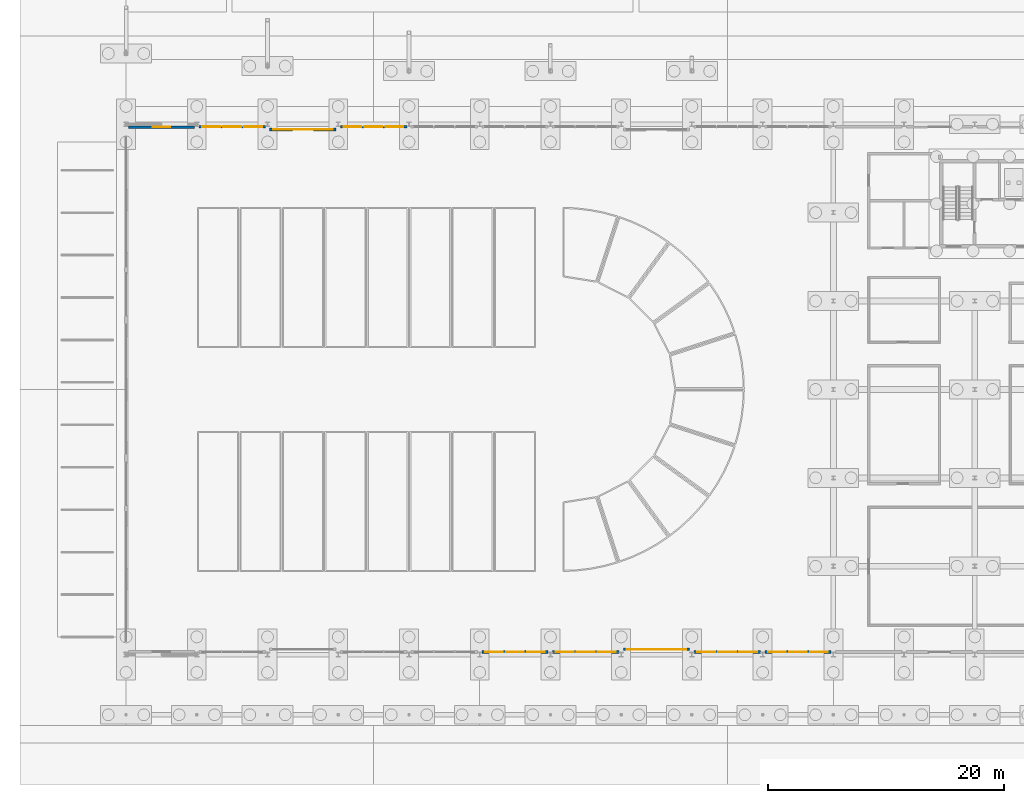
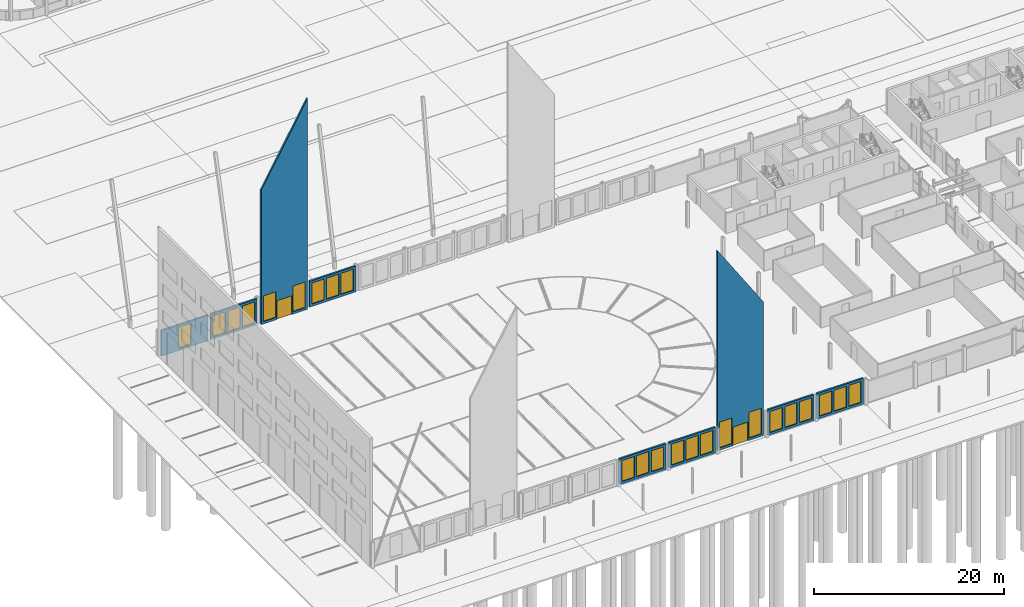
# One storey, part 78 of 130: 23 windows, 9 walls, 2 doors, 25 openings.
"""IFC4 building model written with IfcOpenShell, lengths in metres."""

from ifc_helpers import new_model, si_unit, direction, frame, frame_2d, origin, place, context, subcontext, project, spatial, polyline, rectangle, outline, extrude, material, layer, layer_set, type_object, element, fill, save


model = new_model("IFC4")

# Units and contexts
model_context = context("Model", 3, precision=1e-05, world=origin(), true_north=direction((0.0, 1.0)))
body_context = subcontext(model_context, "Body", "Model", "MODEL_VIEW")
ifc_project = project(units=[si_unit("LENGTHUNIT", "METRE"), si_unit("AREAUNIT", "SQUARE_METRE"), si_unit("VOLUMEUNIT", "CUBIC_METRE"), si_unit("PLANEANGLEUNIT", "RADIAN"), si_unit("MASSUNIT", "GRAM", prefix="KILO")], contexts=[model_context])

# Site, building, storey
site_placement = place(None, origin())
site = spatial("IfcSite", under=ifc_project, at=site_placement, CompositionType="ELEMENT")
building_placement = place(site_placement, origin())
building = spatial("IfcBuilding", under=site, at=building_placement, Name="Parallax Yard Mobility Hub", CompositionType="ELEMENT")
storey_placement = place(building_placement, origin())
storey = spatial("IfcBuildingStorey", under=building, at=storey_placement, Name="L00", CompositionType="ELEMENT", Elevation=0.0)

# Wall, openings, windows
ifc_material_1 = material(Name="Concrete fc' 35 MPa", Category="concrete")
ifc_layer = layer(ifc_material_1, 0.219970703125)
ifc_layer_set = layer_set([ifc_layer], Name="Gable panel, Concrete fc' 35 MPa precast, 220")
wall_type = type_object("IfcWallType", Name="Gable panel, Concrete fc' 35 MPa precast, 220", PredefinedType="SOLIDWALL", material=ifc_layer_set)
wall_1_placement = place(storey_placement, frame((39.1865234375, 7.72412109375, 0.0), z_axis=(0.0, 0.0, 1.0), x_axis=(1.0, 0.0, 0.0)))
wall_1 = element("IfcWall", 1, at=wall_1_placement, inside=storey, type_object=wall_type, Name="Bus and taxi deck south gable wall bay 6 level L00", PredefinedType="SOLIDWALL", context=body_context, shape_type="SweptSolid", body=[
    extrude(rectangle(XDim=5.626953125, YDim=0.219970703125, at=frame_2d((2.8134765625, 0.0))), origin(), (0.0, 0.0, 1.0), 3.300048828125),
])
opening_1_placement = place(wall_1_placement, frame((0.28173828125, 0.0, 0.300048828125)))
opening_1 = element("IfcOpeningElement", 2, at=opening_1_placement, cuts=wall_1, Name="Opening LV8", PredefinedType="OPENING", context=body_context, shape_type="SweptSolid", body=[
    extrude(rectangle(XDim=1.5, YDim=2.699951171875, at=frame_2d((0.75, 1.35009765625))), frame((0.0, 0.1201171875, 0.0), z_axis=(0.0, -1.0, 0.0), x_axis=(1.0, 0.0, 0.0)), (0.0, 0.0, 1.0), 0.239990234375),
])
opening_2_placement = place(wall_1_placement, frame((2.0634765625, 0.0, 0.300048828125)))
opening_2 = element("IfcOpeningElement", 3, at=opening_2_placement, cuts=wall_1, Name="Opening LV8", PredefinedType="OPENING", context=body_context, shape_type="SweptSolid", body=[
    extrude(rectangle(XDim=1.5, YDim=2.699951171875, at=frame_2d((0.75, 1.35009765625))), frame((0.0, 0.1201171875, 0.0), z_axis=(0.0, -1.0, 0.0), x_axis=(1.0, 0.0, 0.0)), (0.0, 0.0, 1.0), 0.239990234375),
])
opening_3_placement = place(wall_1_placement, frame((3.84521484375, 0.0, 0.300048828125)))
opening_3 = element("IfcOpeningElement", 4, at=opening_3_placement, cuts=wall_1, Name="Opening LV8", PredefinedType="OPENING", context=body_context, shape_type="SweptSolid", body=[
    extrude(rectangle(XDim=1.5, YDim=2.699951171875, at=frame_2d((0.75, 1.35009765625))), frame((0.0, 0.1201171875, 0.0), z_axis=(0.0, -1.0, 0.0), x_axis=(1.0, 0.0, 0.0)), (0.0, 0.0, 1.0), 0.239990234375),
])
ifc_material_2 = material(Name="Extruded aluminium storm louvre blades in a powder-coated frame", Category="aluminium")
window_type_1 = type_object("IfcWindowType", Name="Storm louvre 1500 x 2700", PartitioningType="SINGLE_PANEL", PredefinedType="WINDOW", material=ifc_material_2)
window_1_placement = place(opening_1_placement, origin())
window_1 = element("IfcWindow", 5, at=window_1_placement, inside=storey, type_object=window_type_1, Name="LV8 louvre level L00", OverallHeight=2.699951171875, OverallWidth=1.5, PartitioningType="SINGLE_PANEL", PredefinedType="WINDOW", context=body_context, shape_type="SweptSolid", body=[
    extrude(rectangle(XDim=1.5, YDim=2.699951171875, at=frame_2d((0.75, 1.35009765625))), frame((0.0, 0.030029296875, 0.0), z_axis=(0.0, -1.0, 0.0), x_axis=(1.0, 0.0, 0.0)), (0.0, 0.0, 1.0), 0.06005859375),
])
fill(opening_1, window_1)
window_2_placement = place(opening_2_placement, origin())
window_2 = element("IfcWindow", 6, at=window_2_placement, inside=storey, type_object=window_type_1, Name="LV8 louvre level L00", OverallHeight=2.699951171875, OverallWidth=1.5, PartitioningType="SINGLE_PANEL", PredefinedType="WINDOW", context=body_context, shape_type="SweptSolid", body=[
    extrude(rectangle(XDim=1.5, YDim=2.699951171875, at=frame_2d((0.75, 1.35009765625))), frame((0.0, 0.030029296875, 0.0), z_axis=(0.0, -1.0, 0.0), x_axis=(1.0, 0.0, 0.0)), (0.0, 0.0, 1.0), 0.06005859375),
])
fill(opening_2, window_2)
window_3_placement = place(opening_3_placement, origin())
window_3 = element("IfcWindow", 7, at=window_3_placement, inside=storey, type_object=window_type_1, Name="LV8 louvre level L00", OverallHeight=2.699951171875, OverallWidth=1.5, PartitioningType="SINGLE_PANEL", PredefinedType="WINDOW", context=body_context, shape_type="SweptSolid", body=[
    extrude(rectangle(XDim=1.5, YDim=2.699951171875, at=frame_2d((0.75, 1.35009765625))), frame((0.0, 0.030029296875, 0.0), z_axis=(0.0, -1.0, 0.0), x_axis=(1.0, 0.0, 0.0)), (0.0, 0.0, 1.0), 0.06005859375),
])
fill(opening_3, window_3)

wall_2_placement = place(storey_placement, frame((45.1865234375, 7.72412109375, 0.0), z_axis=(0.0, 0.0, 1.0), x_axis=(1.0, 0.0, 0.0)))
wall_2 = element("IfcWall", 8, at=wall_2_placement, inside=storey, type_object=wall_type, Name="Bus and taxi deck south gable wall bay 7 level L00", PredefinedType="SOLIDWALL", context=body_context, shape_type="SweptSolid", body=[
    extrude(rectangle(XDim=5.626953125, YDim=0.219970703125, at=frame_2d((2.8134765625, 0.0))), origin(), (0.0, 0.0, 1.0), 3.300048828125),
])
opening_4_placement = place(wall_2_placement, frame((0.28173828125, 0.0, 0.300048828125)))
opening_4 = element("IfcOpeningElement", 9, at=opening_4_placement, cuts=wall_2, Name="Opening LV8", PredefinedType="OPENING", context=body_context, shape_type="SweptSolid", body=[
    extrude(rectangle(XDim=1.5, YDim=2.699951171875, at=frame_2d((0.75, 1.35009765625))), frame((0.0, 0.1201171875, 0.0), z_axis=(0.0, -1.0, 0.0), x_axis=(1.0, 0.0, 0.0)), (0.0, 0.0, 1.0), 0.239990234375),
])
opening_5_placement = place(wall_2_placement, frame((2.0634765625, 0.0, 0.300048828125)))
opening_5 = element("IfcOpeningElement", 10, at=opening_5_placement, cuts=wall_2, Name="Opening LV8", PredefinedType="OPENING", context=body_context, shape_type="SweptSolid", body=[
    extrude(rectangle(XDim=1.5, YDim=2.699951171875, at=frame_2d((0.75, 1.35009765625))), frame((0.0, 0.1201171875, 0.0), z_axis=(0.0, -1.0, 0.0), x_axis=(1.0, 0.0, 0.0)), (0.0, 0.0, 1.0), 0.239990234375),
])
opening_6_placement = place(wall_2_placement, frame((3.84521484375, 0.0, 0.300048828125)))
opening_6 = element("IfcOpeningElement", 11, at=opening_6_placement, cuts=wall_2, Name="Opening LV8", PredefinedType="OPENING", context=body_context, shape_type="SweptSolid", body=[
    extrude(rectangle(XDim=1.5, YDim=2.699951171875, at=frame_2d((0.75, 1.35009765625))), frame((0.0, 0.1201171875, 0.0), z_axis=(0.0, -1.0, 0.0), x_axis=(1.0, 0.0, 0.0)), (0.0, 0.0, 1.0), 0.239990234375),
])
window_4_placement = place(opening_4_placement, origin())
window_4 = element("IfcWindow", 12, at=window_4_placement, inside=storey, type_object=window_type_1, Name="LV8 louvre level L00", OverallHeight=2.699951171875, OverallWidth=1.5, PartitioningType="SINGLE_PANEL", PredefinedType="WINDOW", context=body_context, shape_type="SweptSolid", body=[
    extrude(rectangle(XDim=1.5, YDim=2.699951171875, at=frame_2d((0.75, 1.35009765625))), frame((0.0, 0.030029296875, 0.0), z_axis=(0.0, -1.0, 0.0), x_axis=(1.0, 0.0, 0.0)), (0.0, 0.0, 1.0), 0.06005859375),
])
fill(opening_4, window_4)
window_5_placement = place(opening_5_placement, origin())
window_5 = element("IfcWindow", 13, at=window_5_placement, inside=storey, type_object=window_type_1, Name="LV8 louvre level L00", OverallHeight=2.699951171875, OverallWidth=1.5, PartitioningType="SINGLE_PANEL", PredefinedType="WINDOW", context=body_context, shape_type="SweptSolid", body=[
    extrude(rectangle(XDim=1.5, YDim=2.699951171875, at=frame_2d((0.75, 1.35009765625))), frame((0.0, 0.030029296875, 0.0), z_axis=(0.0, -1.0, 0.0), x_axis=(1.0, 0.0, 0.0)), (0.0, 0.0, 1.0), 0.06005859375),
])
fill(opening_5, window_5)
window_6_placement = place(opening_6_placement, origin())
window_6 = element("IfcWindow", 14, at=window_6_placement, inside=storey, type_object=window_type_1, Name="LV8 louvre level L00", OverallHeight=2.699951171875, OverallWidth=1.5, PartitioningType="SINGLE_PANEL", PredefinedType="WINDOW", context=body_context, shape_type="SweptSolid", body=[
    extrude(rectangle(XDim=1.5, YDim=2.699951171875, at=frame_2d((0.75, 1.35009765625))), frame((0.0, 0.030029296875, 0.0), z_axis=(0.0, -1.0, 0.0), x_axis=(1.0, 0.0, 0.0)), (0.0, 0.0, 1.0), 0.06005859375),
])
fill(opening_6, window_6)

# Wall, openings, door, windows
wall_3_placement = place(storey_placement, frame((51.1865234375, 7.9482421875, 0.0), z_axis=(0.0, 0.0, 1.0), x_axis=(1.0, 0.0, 0.0)))
wall_3 = element("IfcWall", 15, at=wall_3_placement, inside=storey, type_object=wall_type, Name="Bus and taxi deck south gable wall bay 8 level L00", PredefinedType="SOLIDWALL", context=body_context, shape_type="SweptSolid", body=[
    extrude(outline(polyline([(0.0, 0.0), (5.626953125, 0.0), (5.626953125, 17.163330078125), (4.89306640625, 18.285888671875), (4.6484375, 18.660400390625), (3.914306640625, 19.782958984375), (3.669921875, 20.1572265625), (2.691162109375, 21.654052734375), (2.446533203125, 22.0283203125), (1.712646484375, 23.15087890625), (1.468017578125, 23.525146484375), (0.4892578125, 25.02197265625), (0.24462890625, 25.396240234375), (0.0, 25.7705078125), (0.0, 0.0)])), frame((0.0, 0.10986328125, 0.0), z_axis=(0.0, -1.0, 0.0), x_axis=(1.0, 0.0, 0.0)), (0.0, 0.0, 1.0), 0.219970703125),
])
opening_7_placement = place(wall_3_placement, frame((1.91357421875, 0.0, 0.0)))
opening_7 = element("IfcOpeningElement", 16, at=opening_7_placement, cuts=wall_3, Name="Opening L00-D102", PredefinedType="OPENING", context=body_context, shape_type="SweptSolid", body=[
    extrude(rectangle(XDim=1.800048828125, YDim=2.39990234375, at=frame_2d((0.89990234375, 1.199951171875))), frame((0.0, 0.1201171875, 0.0), z_axis=(0.0, -1.0, 0.0), x_axis=(1.0, 0.0, 0.0)), (0.0, 0.0, 1.0), 0.239990234375),
])
opening_8_placement = place(wall_3_placement, frame((0.28173828125, 0.0, 0.300048828125)))
opening_8 = element("IfcOpeningElement", 17, at=opening_8_placement, cuts=wall_3, Name="Opening LV1", PredefinedType="OPENING", context=body_context, shape_type="SweptSolid", body=[
    extrude(rectangle(XDim=1.5, YDim=3.300048828125, at=frame_2d((0.75, 1.64990234375))), frame((0.0, 0.1201171875, 0.0), z_axis=(0.0, -1.0, 0.0), x_axis=(1.0, 0.0, 0.0)), (0.0, 0.0, 1.0), 0.239990234375),
])
opening_9_placement = place(wall_3_placement, frame((3.84521484375, 0.0, 0.300048828125)))
opening_9 = element("IfcOpeningElement", 18, at=opening_9_placement, cuts=wall_3, Name="Opening LV1", PredefinedType="OPENING", context=body_context, shape_type="SweptSolid", body=[
    extrude(rectangle(XDim=1.5, YDim=3.300048828125, at=frame_2d((0.75, 1.64990234375))), frame((0.0, 0.1201171875, 0.0), z_axis=(0.0, -1.0, 0.0), x_axis=(1.0, 0.0, 0.0)), (0.0, 0.0, 1.0), 0.239990234375),
])
ifc_material_3 = material(Name="Aluminium frame with laminated glass leaves", Category="aluminium")
door_type = type_object("IfcDoorType", Name="Entrance door double 1800 x 2400", OperationType="DOUBLE_DOOR_SINGLE_SWING", PredefinedType="DOOR", material=ifc_material_3)
door_1_placement = place(opening_7_placement, origin())
door_1 = element("IfcDoor", 19, at=door_1_placement, inside=storey, type_object=door_type, Name="Entrance door L00-D102", OperationType="DOUBLE_DOOR_SINGLE_SWING", OverallHeight=2.39990234375, OverallWidth=1.800048828125, PredefinedType="DOOR", context=body_context, shape_type="SweptSolid", body=[
    extrude(rectangle(XDim=1.800048828125, YDim=2.39990234375, at=frame_2d((0.89990234375, 1.199951171875))), frame((0.0, 0.02490234375, 0.0), z_axis=(0.0, -1.0, 0.0), x_axis=(1.0, 0.0, 0.0)), (0.0, 0.0, 1.0), 0.050048828125),
])
fill(opening_7, door_1)
window_type_2 = type_object("IfcWindowType", Name="Storm louvre 1500 x 3300", PartitioningType="SINGLE_PANEL", PredefinedType="WINDOW", material=ifc_material_2)
window_7_placement = place(opening_8_placement, origin())
window_7 = element("IfcWindow", 20, at=window_7_placement, inside=storey, type_object=window_type_2, Name="LV1 louvre level L00", OverallHeight=3.300048828125, OverallWidth=1.5, PartitioningType="SINGLE_PANEL", PredefinedType="WINDOW", context=body_context, shape_type="SweptSolid", body=[
    extrude(rectangle(XDim=1.5, YDim=3.300048828125, at=frame_2d((0.75, 1.64990234375))), frame((0.0, 0.030029296875, 0.0), z_axis=(0.0, -1.0, 0.0), x_axis=(1.0, 0.0, 0.0)), (0.0, 0.0, 1.0), 0.06005859375),
])
fill(opening_8, window_7)
window_8_placement = place(opening_9_placement, origin())
window_8 = element("IfcWindow", 21, at=window_8_placement, inside=storey, type_object=window_type_2, Name="LV1 louvre level L00", OverallHeight=3.300048828125, OverallWidth=1.5, PartitioningType="SINGLE_PANEL", PredefinedType="WINDOW", context=body_context, shape_type="SweptSolid", body=[
    extrude(rectangle(XDim=1.5, YDim=3.300048828125, at=frame_2d((0.75, 1.64990234375))), frame((0.0, 0.030029296875, 0.0), z_axis=(0.0, -1.0, 0.0), x_axis=(1.0, 0.0, 0.0)), (0.0, 0.0, 1.0), 0.06005859375),
])
fill(opening_9, window_8)

# Wall, openings, windows
wall_4_placement = place(storey_placement, frame((57.1865234375, 7.72412109375, 0.0), z_axis=(0.0, 0.0, 1.0), x_axis=(1.0, 0.0, 0.0)))
wall_4 = element("IfcWall", 22, at=wall_4_placement, inside=storey, type_object=wall_type, Name="Bus and taxi deck south gable wall bay 9 level L00", PredefinedType="SOLIDWALL", context=body_context, shape_type="SweptSolid", body=[
    extrude(rectangle(XDim=5.626953125, YDim=0.219970703125, at=frame_2d((2.8134765625, 0.0))), origin(), (0.0, 0.0, 1.0), 3.300048828125),
])
opening_10_placement = place(wall_4_placement, frame((0.28173828125, 0.0, 0.300048828125)))
opening_10 = element("IfcOpeningElement", 23, at=opening_10_placement, cuts=wall_4, Name="Opening LV8", PredefinedType="OPENING", context=body_context, shape_type="SweptSolid", body=[
    extrude(rectangle(XDim=1.5, YDim=2.699951171875, at=frame_2d((0.75, 1.35009765625))), frame((0.0, 0.1201171875, 0.0), z_axis=(0.0, -1.0, 0.0), x_axis=(1.0, 0.0, 0.0)), (0.0, 0.0, 1.0), 0.239990234375),
])
opening_11_placement = place(wall_4_placement, frame((2.0634765625, 0.0, 0.300048828125)))
opening_11 = element("IfcOpeningElement", 24, at=opening_11_placement, cuts=wall_4, Name="Opening LV8", PredefinedType="OPENING", context=body_context, shape_type="SweptSolid", body=[
    extrude(rectangle(XDim=1.5, YDim=2.699951171875, at=frame_2d((0.75, 1.35009765625))), frame((0.0, 0.1201171875, 0.0), z_axis=(0.0, -1.0, 0.0), x_axis=(1.0, 0.0, 0.0)), (0.0, 0.0, 1.0), 0.239990234375),
])
opening_12_placement = place(wall_4_placement, frame((3.84521484375, 0.0, 0.300048828125)))
opening_12 = element("IfcOpeningElement", 25, at=opening_12_placement, cuts=wall_4, Name="Opening LV8", PredefinedType="OPENING", context=body_context, shape_type="SweptSolid", body=[
    extrude(rectangle(XDim=1.5, YDim=2.699951171875, at=frame_2d((0.75, 1.35009765625))), frame((0.0, 0.1201171875, 0.0), z_axis=(0.0, -1.0, 0.0), x_axis=(1.0, 0.0, 0.0)), (0.0, 0.0, 1.0), 0.239990234375),
])
window_9_placement = place(opening_10_placement, origin())
window_9 = element("IfcWindow", 26, at=window_9_placement, inside=storey, type_object=window_type_1, Name="LV8 louvre level L00", OverallHeight=2.699951171875, OverallWidth=1.5, PartitioningType="SINGLE_PANEL", PredefinedType="WINDOW", context=body_context, shape_type="SweptSolid", body=[
    extrude(rectangle(XDim=1.5, YDim=2.699951171875, at=frame_2d((0.75, 1.35009765625))), frame((0.0, 0.030029296875, 0.0), z_axis=(0.0, -1.0, 0.0), x_axis=(1.0, 0.0, 0.0)), (0.0, 0.0, 1.0), 0.06005859375),
])
fill(opening_10, window_9)
window_10_placement = place(opening_11_placement, origin())
window_10 = element("IfcWindow", 27, at=window_10_placement, inside=storey, type_object=window_type_1, Name="LV8 louvre level L00", OverallHeight=2.699951171875, OverallWidth=1.5, PartitioningType="SINGLE_PANEL", PredefinedType="WINDOW", context=body_context, shape_type="SweptSolid", body=[
    extrude(rectangle(XDim=1.5, YDim=2.699951171875, at=frame_2d((0.75, 1.35009765625))), frame((0.0, 0.030029296875, 0.0), z_axis=(0.0, -1.0, 0.0), x_axis=(1.0, 0.0, 0.0)), (0.0, 0.0, 1.0), 0.06005859375),
])
fill(opening_11, window_10)
window_11_placement = place(opening_12_placement, origin())
window_11 = element("IfcWindow", 28, at=window_11_placement, inside=storey, type_object=window_type_1, Name="LV8 louvre level L00", OverallHeight=2.699951171875, OverallWidth=1.5, PartitioningType="SINGLE_PANEL", PredefinedType="WINDOW", context=body_context, shape_type="SweptSolid", body=[
    extrude(rectangle(XDim=1.5, YDim=2.699951171875, at=frame_2d((0.75, 1.35009765625))), frame((0.0, 0.030029296875, 0.0), z_axis=(0.0, -1.0, 0.0), x_axis=(1.0, 0.0, 0.0)), (0.0, 0.0, 1.0), 0.06005859375),
])
fill(opening_12, window_11)

wall_5_placement = place(storey_placement, frame((63.1865234375, 7.72412109375, 0.0), z_axis=(0.0, 0.0, 1.0), x_axis=(1.0, 0.0, 0.0)))
wall_5 = element("IfcWall", 29, at=wall_5_placement, inside=storey, type_object=wall_type, Name="Bus and taxi deck south gable wall bay 10 level L00", PredefinedType="SOLIDWALL", context=body_context, shape_type="SweptSolid", body=[
    extrude(rectangle(XDim=5.626953125, YDim=0.219970703125, at=frame_2d((2.8134765625, 0.0))), origin(), (0.0, 0.0, 1.0), 3.300048828125),
])
opening_13_placement = place(wall_5_placement, frame((0.28173828125, 0.0, 0.300048828125)))
opening_13 = element("IfcOpeningElement", 30, at=opening_13_placement, cuts=wall_5, Name="Opening LV8", PredefinedType="OPENING", context=body_context, shape_type="SweptSolid", body=[
    extrude(rectangle(XDim=1.5, YDim=2.699951171875, at=frame_2d((0.75, 1.35009765625))), frame((0.0, 0.1201171875, 0.0), z_axis=(0.0, -1.0, 0.0), x_axis=(1.0, 0.0, 0.0)), (0.0, 0.0, 1.0), 0.239990234375),
])
opening_14_placement = place(wall_5_placement, frame((2.0634765625, 0.0, 0.300048828125)))
opening_14 = element("IfcOpeningElement", 31, at=opening_14_placement, cuts=wall_5, Name="Opening LV8", PredefinedType="OPENING", context=body_context, shape_type="SweptSolid", body=[
    extrude(rectangle(XDim=1.5, YDim=2.699951171875, at=frame_2d((0.75, 1.35009765625))), frame((0.0, 0.1201171875, 0.0), z_axis=(0.0, -1.0, 0.0), x_axis=(1.0, 0.0, 0.0)), (0.0, 0.0, 1.0), 0.239990234375),
])
opening_15_placement = place(wall_5_placement, frame((3.84521484375, 0.0, 0.300048828125)))
opening_15 = element("IfcOpeningElement", 32, at=opening_15_placement, cuts=wall_5, Name="Opening LV8", PredefinedType="OPENING", context=body_context, shape_type="SweptSolid", body=[
    extrude(rectangle(XDim=1.5, YDim=2.699951171875, at=frame_2d((0.75, 1.35009765625))), frame((0.0, 0.1201171875, 0.0), z_axis=(0.0, -1.0, 0.0), x_axis=(1.0, 0.0, 0.0)), (0.0, 0.0, 1.0), 0.239990234375),
])
window_12_placement = place(opening_13_placement, origin())
window_12 = element("IfcWindow", 33, at=window_12_placement, inside=storey, type_object=window_type_1, Name="LV8 louvre level L00", OverallHeight=2.699951171875, OverallWidth=1.5, PartitioningType="SINGLE_PANEL", PredefinedType="WINDOW", context=body_context, shape_type="SweptSolid", body=[
    extrude(rectangle(XDim=1.5, YDim=2.699951171875, at=frame_2d((0.75, 1.35009765625))), frame((0.0, 0.030029296875, 0.0), z_axis=(0.0, -1.0, 0.0), x_axis=(1.0, 0.0, 0.0)), (0.0, 0.0, 1.0), 0.06005859375),
])
fill(opening_13, window_12)
window_13_placement = place(opening_14_placement, origin())
window_13 = element("IfcWindow", 34, at=window_13_placement, inside=storey, type_object=window_type_1, Name="LV8 louvre level L00", OverallHeight=2.699951171875, OverallWidth=1.5, PartitioningType="SINGLE_PANEL", PredefinedType="WINDOW", context=body_context, shape_type="SweptSolid", body=[
    extrude(rectangle(XDim=1.5, YDim=2.699951171875, at=frame_2d((0.75, 1.35009765625))), frame((0.0, 0.030029296875, 0.0), z_axis=(0.0, -1.0, 0.0), x_axis=(1.0, 0.0, 0.0)), (0.0, 0.0, 1.0), 0.06005859375),
])
fill(opening_14, window_13)
window_14_placement = place(opening_15_placement, origin())
window_14 = element("IfcWindow", 35, at=window_14_placement, inside=storey, type_object=window_type_1, Name="LV8 louvre level L00", OverallHeight=2.699951171875, OverallWidth=1.5, PartitioningType="SINGLE_PANEL", PredefinedType="WINDOW", context=body_context, shape_type="SweptSolid", body=[
    extrude(rectangle(XDim=1.5, YDim=2.699951171875, at=frame_2d((0.75, 1.35009765625))), frame((0.0, 0.030029296875, 0.0), z_axis=(0.0, -1.0, 0.0), x_axis=(1.0, 0.0, 0.0)), (0.0, 0.0, 1.0), 0.06005859375),
])
fill(opening_15, window_14)

# Wall, opening, window
wall_6_placement = place(storey_placement, frame((9.1865234375, 52.25048828125, 0.0), z_axis=(0.0, 0.0, 1.0), x_axis=(1.0, 0.0, 0.0)))
wall_6 = element("IfcWall", 36, at=wall_6_placement, inside=storey, type_object=wall_type, Name="Bus and taxi deck north gable wall bay 1 level L00", PredefinedType="SOLIDWALL", context=body_context, shape_type="SweptSolid", body=[
    extrude(rectangle(XDim=5.626953125, YDim=0.219970703125, at=frame_2d((2.8134765625, 0.0))), origin(), (0.0, 0.0, 1.0), 3.300048828125),
])
opening_16_placement = place(wall_6_placement, frame((2.0634765625, 0.0, 0.300048828125)))
opening_16 = element("IfcOpeningElement", 37, at=opening_16_placement, cuts=wall_6, Name="Opening LV8", PredefinedType="OPENING", context=body_context, shape_type="SweptSolid", body=[
    extrude(rectangle(XDim=1.5, YDim=2.699951171875, at=frame_2d((0.75, 1.35009765625))), frame((0.0, 0.1201171875, 0.0), z_axis=(0.0, -1.0, 0.0), x_axis=(1.0, 0.0, 0.0)), (0.0, 0.0, 1.0), 0.239990234375),
])
window_15_placement = place(opening_16_placement, origin())
window_15 = element("IfcWindow", 38, at=window_15_placement, inside=storey, type_object=window_type_1, Name="LV8 louvre level L00", OverallHeight=2.699951171875, OverallWidth=1.5, PartitioningType="SINGLE_PANEL", PredefinedType="WINDOW", context=body_context, shape_type="SweptSolid", body=[
    extrude(rectangle(XDim=1.5, YDim=2.699951171875, at=frame_2d((0.75, 1.35009765625))), frame((0.0, 0.030029296875, 0.0), z_axis=(0.0, -1.0, 0.0), x_axis=(1.0, 0.0, 0.0)), (0.0, 0.0, 1.0), 0.06005859375),
])
fill(opening_16, window_15)

# Wall, openings, windows
wall_7_placement = place(storey_placement, frame((15.1865234375, 52.27587890625, 0.0), z_axis=(0.0, 0.0, 1.0), x_axis=(1.0, 0.0, 0.0)))
wall_7 = element("IfcWall", 39, at=wall_7_placement, inside=storey, type_object=wall_type, Name="Bus and taxi deck north gable wall bay 2 level L00", PredefinedType="SOLIDWALL", context=body_context, shape_type="SweptSolid", body=[
    extrude(rectangle(XDim=5.626953125, YDim=0.219970703125, at=frame_2d((2.8134765625, 0.0))), origin(), (0.0, 0.0, 1.0), 3.300048828125),
])
opening_17_placement = place(wall_7_placement, frame((0.28173828125, 0.0, 0.300048828125)))
opening_17 = element("IfcOpeningElement", 40, at=opening_17_placement, cuts=wall_7, Name="Opening LV8", PredefinedType="OPENING", context=body_context, shape_type="SweptSolid", body=[
    extrude(rectangle(XDim=1.5, YDim=2.699951171875, at=frame_2d((0.75, 1.35009765625))), frame((0.0, 0.1201171875, 0.0), z_axis=(0.0, -1.0, 0.0), x_axis=(1.0, 0.0, 0.0)), (0.0, 0.0, 1.0), 0.239990234375),
])
opening_18_placement = place(wall_7_placement, frame((2.0634765625, 0.0, 0.300048828125)))
opening_18 = element("IfcOpeningElement", 41, at=opening_18_placement, cuts=wall_7, Name="Opening LV8", PredefinedType="OPENING", context=body_context, shape_type="SweptSolid", body=[
    extrude(rectangle(XDim=1.5, YDim=2.699951171875, at=frame_2d((0.75, 1.35009765625))), frame((0.0, 0.1201171875, 0.0), z_axis=(0.0, -1.0, 0.0), x_axis=(1.0, 0.0, 0.0)), (0.0, 0.0, 1.0), 0.239990234375),
])
opening_19_placement = place(wall_7_placement, frame((3.84521484375, 0.0, 0.300048828125)))
opening_19 = element("IfcOpeningElement", 42, at=opening_19_placement, cuts=wall_7, Name="Opening LV8", PredefinedType="OPENING", context=body_context, shape_type="SweptSolid", body=[
    extrude(rectangle(XDim=1.5, YDim=2.699951171875, at=frame_2d((0.75, 1.35009765625))), frame((0.0, 0.1201171875, 0.0), z_axis=(0.0, -1.0, 0.0), x_axis=(1.0, 0.0, 0.0)), (0.0, 0.0, 1.0), 0.239990234375),
])
window_16_placement = place(opening_17_placement, origin())
window_16 = element("IfcWindow", 43, at=window_16_placement, inside=storey, type_object=window_type_1, Name="LV8 louvre level L00", OverallHeight=2.699951171875, OverallWidth=1.5, PartitioningType="SINGLE_PANEL", PredefinedType="WINDOW", context=body_context, shape_type="SweptSolid", body=[
    extrude(rectangle(XDim=1.5, YDim=2.699951171875, at=frame_2d((0.75, 1.35009765625))), frame((0.0, 0.030029296875, 0.0), z_axis=(0.0, -1.0, 0.0), x_axis=(1.0, 0.0, 0.0)), (0.0, 0.0, 1.0), 0.06005859375),
])
fill(opening_17, window_16)
window_17_placement = place(opening_18_placement, origin())
window_17 = element("IfcWindow", 44, at=window_17_placement, inside=storey, type_object=window_type_1, Name="LV8 louvre level L00", OverallHeight=2.699951171875, OverallWidth=1.5, PartitioningType="SINGLE_PANEL", PredefinedType="WINDOW", context=body_context, shape_type="SweptSolid", body=[
    extrude(rectangle(XDim=1.5, YDim=2.699951171875, at=frame_2d((0.75, 1.35009765625))), frame((0.0, 0.030029296875, 0.0), z_axis=(0.0, -1.0, 0.0), x_axis=(1.0, 0.0, 0.0)), (0.0, 0.0, 1.0), 0.06005859375),
])
fill(opening_18, window_17)
window_18_placement = place(opening_19_placement, origin())
window_18 = element("IfcWindow", 45, at=window_18_placement, inside=storey, type_object=window_type_1, Name="LV8 louvre level L00", OverallHeight=2.699951171875, OverallWidth=1.5, PartitioningType="SINGLE_PANEL", PredefinedType="WINDOW", context=body_context, shape_type="SweptSolid", body=[
    extrude(rectangle(XDim=1.5, YDim=2.699951171875, at=frame_2d((0.75, 1.35009765625))), frame((0.0, 0.030029296875, 0.0), z_axis=(0.0, -1.0, 0.0), x_axis=(1.0, 0.0, 0.0)), (0.0, 0.0, 1.0), 0.06005859375),
])
fill(opening_19, window_18)

# Wall, openings, door, windows
wall_8_placement = place(storey_placement, frame((21.1865234375, 52.0517578125, 0.0), z_axis=(0.0, 0.0, 1.0), x_axis=(1.0, 0.0, 0.0)))
wall_8 = element("IfcWall", 46, at=wall_8_placement, inside=storey, type_object=wall_type, Name="Bus and taxi deck north gable wall bay 3 level L00", PredefinedType="SOLIDWALL", context=body_context, shape_type="SweptSolid", body=[
    extrude(outline(polyline([(0.0, 0.0), (5.626953125, 0.0), (5.626953125, 27.095947265625), (5.38232421875, 26.666748046875), (5.1376953125, 26.237548828125), (3.914306640625, 24.091552734375), (3.669921875, 23.66259765625), (2.691162109375, 21.94580078125), (2.446533203125, 21.5166015625), (1.468017578125, 19.7998046875), (1.223388671875, 19.37060546875), (0.24462890625, 17.65380859375), (0.0, 17.224853515625), (0.0, 0.0)])), frame((0.0, 0.10986328125, 0.0), z_axis=(0.0, -1.0, 0.0), x_axis=(1.0, 0.0, 0.0)), (0.0, 0.0, 1.0), 0.219970703125),
])
opening_20_placement = place(wall_8_placement, frame((1.91357421875, 0.0, 0.0)))
opening_20 = element("IfcOpeningElement", 47, at=opening_20_placement, cuts=wall_8, Name="Opening L00-D104", PredefinedType="OPENING", context=body_context, shape_type="SweptSolid", body=[
    extrude(rectangle(XDim=1.800048828125, YDim=2.39990234375, at=frame_2d((0.89990234375, 1.199951171875))), frame((0.0, 0.1201171875, 0.0), z_axis=(0.0, -1.0, 0.0), x_axis=(1.0, 0.0, 0.0)), (0.0, 0.0, 1.0), 0.239990234375),
])
opening_21_placement = place(wall_8_placement, frame((0.28173828125, 0.0, 0.300048828125)))
opening_21 = element("IfcOpeningElement", 48, at=opening_21_placement, cuts=wall_8, Name="Opening LV1", PredefinedType="OPENING", context=body_context, shape_type="SweptSolid", body=[
    extrude(rectangle(XDim=1.5, YDim=3.300048828125, at=frame_2d((0.75, 1.64990234375))), frame((0.0, 0.1201171875, 0.0), z_axis=(0.0, -1.0, 0.0), x_axis=(1.0, 0.0, 0.0)), (0.0, 0.0, 1.0), 0.239990234375),
])
opening_22_placement = place(wall_8_placement, frame((3.84521484375, 0.0, 0.300048828125)))
opening_22 = element("IfcOpeningElement", 49, at=opening_22_placement, cuts=wall_8, Name="Opening LV1", PredefinedType="OPENING", context=body_context, shape_type="SweptSolid", body=[
    extrude(rectangle(XDim=1.5, YDim=3.300048828125, at=frame_2d((0.75, 1.64990234375))), frame((0.0, 0.1201171875, 0.0), z_axis=(0.0, -1.0, 0.0), x_axis=(1.0, 0.0, 0.0)), (0.0, 0.0, 1.0), 0.239990234375),
])
door_2_placement = place(opening_20_placement, origin())
door_2 = element("IfcDoor", 50, at=door_2_placement, inside=storey, type_object=door_type, Name="Entrance door L00-D104", OperationType="DOUBLE_DOOR_SINGLE_SWING", OverallHeight=2.39990234375, OverallWidth=1.800048828125, PredefinedType="DOOR", context=body_context, shape_type="SweptSolid", body=[
    extrude(rectangle(XDim=1.800048828125, YDim=2.39990234375, at=frame_2d((0.89990234375, 1.199951171875))), frame((0.0, 0.02490234375, 0.0), z_axis=(0.0, -1.0, 0.0), x_axis=(1.0, 0.0, 0.0)), (0.0, 0.0, 1.0), 0.050048828125),
])
fill(opening_20, door_2)
window_19_placement = place(opening_21_placement, origin())
window_19 = element("IfcWindow", 51, at=window_19_placement, inside=storey, type_object=window_type_2, Name="LV1 louvre level L00", OverallHeight=3.300048828125, OverallWidth=1.5, PartitioningType="SINGLE_PANEL", PredefinedType="WINDOW", context=body_context, shape_type="SweptSolid", body=[
    extrude(rectangle(XDim=1.5, YDim=3.300048828125, at=frame_2d((0.75, 1.64990234375))), frame((0.0, 0.030029296875, 0.0), z_axis=(0.0, -1.0, 0.0), x_axis=(1.0, 0.0, 0.0)), (0.0, 0.0, 1.0), 0.06005859375),
])
fill(opening_21, window_19)
window_20_placement = place(opening_22_placement, origin())
window_20 = element("IfcWindow", 52, at=window_20_placement, inside=storey, type_object=window_type_2, Name="LV1 louvre level L00", OverallHeight=3.300048828125, OverallWidth=1.5, PartitioningType="SINGLE_PANEL", PredefinedType="WINDOW", context=body_context, shape_type="SweptSolid", body=[
    extrude(rectangle(XDim=1.5, YDim=3.300048828125, at=frame_2d((0.75, 1.64990234375))), frame((0.0, 0.030029296875, 0.0), z_axis=(0.0, -1.0, 0.0), x_axis=(1.0, 0.0, 0.0)), (0.0, 0.0, 1.0), 0.06005859375),
])
fill(opening_22, window_20)

# Wall, openings, windows
wall_9_placement = place(storey_placement, frame((27.1865234375, 52.27587890625, 0.0), z_axis=(0.0, 0.0, 1.0), x_axis=(1.0, 0.0, 0.0)))
wall_9 = element("IfcWall", 53, at=wall_9_placement, inside=storey, type_object=wall_type, Name="Bus and taxi deck north gable wall bay 4 level L00", PredefinedType="SOLIDWALL", context=body_context, shape_type="SweptSolid", body=[
    extrude(rectangle(XDim=5.626953125, YDim=0.219970703125, at=frame_2d((2.8134765625, 0.0))), origin(), (0.0, 0.0, 1.0), 3.300048828125),
])
opening_23_placement = place(wall_9_placement, frame((0.28173828125, 0.0, 0.300048828125)))
opening_23 = element("IfcOpeningElement", 54, at=opening_23_placement, cuts=wall_9, Name="Opening LV8", PredefinedType="OPENING", context=body_context, shape_type="SweptSolid", body=[
    extrude(rectangle(XDim=1.5, YDim=2.699951171875, at=frame_2d((0.75, 1.35009765625))), frame((0.0, 0.1201171875, 0.0), z_axis=(0.0, -1.0, 0.0), x_axis=(1.0, 0.0, 0.0)), (0.0, 0.0, 1.0), 0.239990234375),
])
opening_24_placement = place(wall_9_placement, frame((2.0634765625, 0.0, 0.300048828125)))
opening_24 = element("IfcOpeningElement", 55, at=opening_24_placement, cuts=wall_9, Name="Opening LV8", PredefinedType="OPENING", context=body_context, shape_type="SweptSolid", body=[
    extrude(rectangle(XDim=1.5, YDim=2.699951171875, at=frame_2d((0.75, 1.35009765625))), frame((0.0, 0.1201171875, 0.0), z_axis=(0.0, -1.0, 0.0), x_axis=(1.0, 0.0, 0.0)), (0.0, 0.0, 1.0), 0.239990234375),
])
opening_25_placement = place(wall_9_placement, frame((3.84521484375, 0.0, 0.300048828125)))
opening_25 = element("IfcOpeningElement", 56, at=opening_25_placement, cuts=wall_9, Name="Opening LV8", PredefinedType="OPENING", context=body_context, shape_type="SweptSolid", body=[
    extrude(rectangle(XDim=1.5, YDim=2.699951171875, at=frame_2d((0.75, 1.35009765625))), frame((0.0, 0.1201171875, 0.0), z_axis=(0.0, -1.0, 0.0), x_axis=(1.0, 0.0, 0.0)), (0.0, 0.0, 1.0), 0.239990234375),
])
window_21_placement = place(opening_23_placement, origin())
window_21 = element("IfcWindow", 57, at=window_21_placement, inside=storey, type_object=window_type_1, Name="LV8 louvre level L00", OverallHeight=2.699951171875, OverallWidth=1.5, PartitioningType="SINGLE_PANEL", PredefinedType="WINDOW", context=body_context, shape_type="SweptSolid", body=[
    extrude(rectangle(XDim=1.5, YDim=2.699951171875, at=frame_2d((0.75, 1.35009765625))), frame((0.0, 0.030029296875, 0.0), z_axis=(0.0, -1.0, 0.0), x_axis=(1.0, 0.0, 0.0)), (0.0, 0.0, 1.0), 0.06005859375),
])
fill(opening_23, window_21)
window_22_placement = place(opening_24_placement, origin())
window_22 = element("IfcWindow", 58, at=window_22_placement, inside=storey, type_object=window_type_1, Name="LV8 louvre level L00", OverallHeight=2.699951171875, OverallWidth=1.5, PartitioningType="SINGLE_PANEL", PredefinedType="WINDOW", context=body_context, shape_type="SweptSolid", body=[
    extrude(rectangle(XDim=1.5, YDim=2.699951171875, at=frame_2d((0.75, 1.35009765625))), frame((0.0, 0.030029296875, 0.0), z_axis=(0.0, -1.0, 0.0), x_axis=(1.0, 0.0, 0.0)), (0.0, 0.0, 1.0), 0.06005859375),
])
fill(opening_24, window_22)
window_23_placement = place(opening_25_placement, origin())
window_23 = element("IfcWindow", 59, at=window_23_placement, inside=storey, type_object=window_type_1, Name="LV8 louvre level L00", OverallHeight=2.699951171875, OverallWidth=1.5, PartitioningType="SINGLE_PANEL", PredefinedType="WINDOW", context=body_context, shape_type="SweptSolid", body=[
    extrude(rectangle(XDim=1.5, YDim=2.699951171875, at=frame_2d((0.75, 1.35009765625))), frame((0.0, 0.030029296875, 0.0), z_axis=(0.0, -1.0, 0.0), x_axis=(1.0, 0.0, 0.0)), (0.0, 0.0, 1.0), 0.06005859375),
])
fill(opening_25, window_23)

save(model, "model.ifc")
